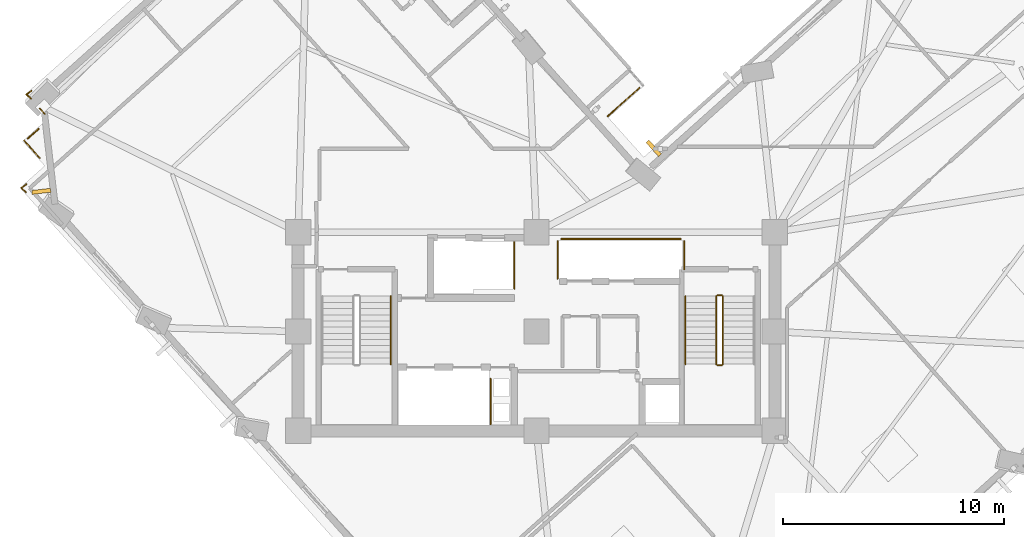
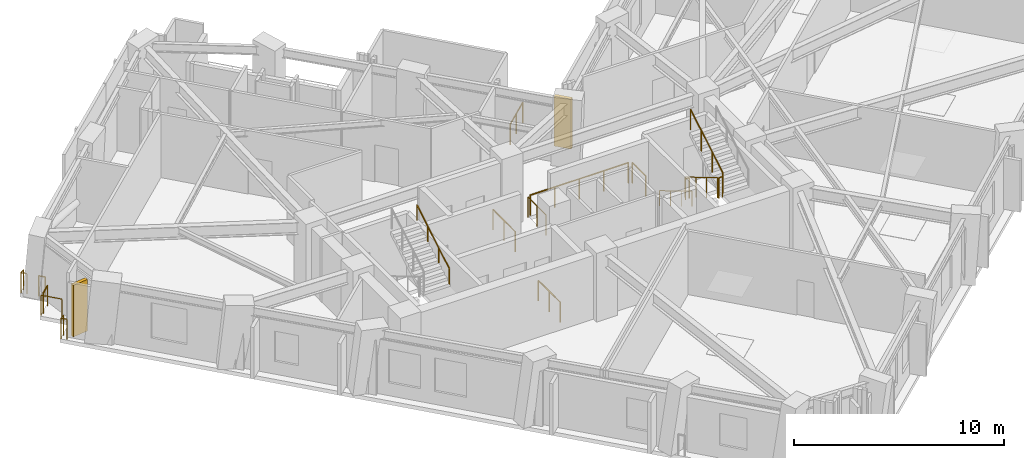
# One storey, part 11 of 14: 17 railings, 2 shading devices.
"""IFC4 building model written with IfcOpenShell, lengths in metres."""

from ifc_helpers import new_model, si_unit, direction, frame, origin, origin_2d, place, context, subcontext, project, spatial, rectangle, circle, extrude, material, layer, layer_set, type_object, element, save


model = new_model("IFC4")

# Units and contexts
model_context = context("Model", 3, precision=1e-05, world=origin(), true_north=direction((0.0, 1.0)))
body_context = subcontext(model_context, "Body", "Model", "MODEL_VIEW")
ifc_project = project(units=[si_unit("LENGTHUNIT", "METRE"), si_unit("AREAUNIT", "SQUARE_METRE"), si_unit("VOLUMEUNIT", "CUBIC_METRE"), si_unit("PLANEANGLEUNIT", "RADIAN"), si_unit("MASSUNIT", "GRAM", prefix="KILO")], contexts=[model_context])

# Site, building, storey
site_placement = place(None, origin())
site = spatial("IfcSite", under=ifc_project, at=site_placement, CompositionType="ELEMENT")
building_placement = place(site_placement, origin())
building = spatial("IfcBuilding", under=site, at=building_placement, Name="Gaonmaruhae Medical Tower", CompositionType="ELEMENT")
storey_placement = place(building_placement, frame((0.0, 0.0, 201.800048828125)))
storey = spatial("IfcBuildingStorey", under=building, at=storey_placement, Name="L48", CompositionType="ELEMENT", Elevation=201.800048828125)

# Railings
ifc_material_1 = material(Name="Stainless steel 316L and laminated safety glass", Category="steel")
ifc_layer = layer(ifc_material_1, 0.080078125)
ifc_layer_set = layer_set([ifc_layer], Name="Stainless steel 316L and laminated safety glass")
railing_type_1 = type_object("IfcRailingType", Name="GD-120 Outdoor Terrace Safety Glass & Steel Balustrade", PredefinedType="BALUSTRADE", material=ifc_layer_set)
railing_1_placement = place(storey_placement, frame((2.285888671875, 20.169921875, 0.0)))
element("IfcRailing", 1, at=railing_1_placement, inside=storey, type_object=railing_type_1, Name="L48 Perimeter Slab Edge Safety Balustrade 06", PredefinedType="BALUSTRADE", context=body_context, shape_type="SweptSolid", body=[
    extrude(circle(Radius=0.02392578125, at=origin_2d()), frame((0.0, 0.0, 1.17578125), z_axis=(-0.666491764932, 0.745512392437, 0.0), x_axis=(-0.745512392437, -0.666491764932, 0.0)), (0.0, 0.0, 1.0), 1.059814453125),
    extrude(circle(Radius=0.02099609375, at=origin_2d()), origin(), (0.0, 0.0, 1.0), 1.15185546875),
    extrude(circle(Radius=0.02099609375, at=origin_2d()), frame((-0.706298828125, 0.7900390625, 0.0)), (0.0, 0.0, 1.0), 1.15185546875),
])
railing_2_placement = place(storey_placement, frame((1.74951171875, 21.044921875, 0.0)))
element("IfcRailing", 2, at=railing_2_placement, inside=storey, type_object=railing_type_1, Name="L48 Perimeter Slab Edge Safety Balustrade 07", PredefinedType="BALUSTRADE", context=body_context, shape_type="SweptSolid", body=[
    extrude(circle(Radius=0.02392578125, at=origin_2d()), frame((0.0, 0.0, 1.17578125), z_axis=(0.74540576672, 0.666611013216, 0.0), x_axis=(-0.666611013216, 0.74540576672, 0.0)), (0.0, 0.0, 1.0), 0.659912109375),
    extrude(circle(Radius=0.02099609375, at=origin_2d()), origin(), (0.0, 0.0, 1.0), 1.15185546875),
    extrude(circle(Radius=0.02099609375, at=origin_2d()), frame((0.491943359375, 0.43994140625, 0.0)), (0.0, 0.0, 1.0), 1.15185546875),
])
railing_3_placement = place(storey_placement, frame((2.515380859375, 22.16357421875, 0.0)))
element("IfcRailing", 3, at=railing_3_placement, inside=storey, type_object=railing_type_1, Name="L48 Perimeter Slab Edge Safety Balustrade 08", PredefinedType="BALUSTRADE", context=body_context, shape_type="SweptSolid", body=[
    extrude(circle(Radius=0.02392578125, at=origin_2d()), frame((0.0, 0.0, 1.17578125), z_axis=(-0.666357524895, 0.745632381953, 0.0), x_axis=(-0.745632381953, -0.666357524895, 0.0)), (0.0, 0.0, 1.0), 0.326416015625),
    extrude(circle(Radius=0.02099609375, at=origin_2d()), origin(), (0.0, 0.0, 1.0), 1.15185546875),
    extrude(circle(Radius=0.02099609375, at=origin_2d()), frame((-0.217529296875, 0.243408203125, 0.0)), (0.0, 0.0, 1.0), 1.15185546875),
])
railing_4_placement = place(storey_placement, frame((29.46142578125, 23.33984375, 0.0)))
element("IfcRailing", 4, at=railing_4_placement, inside=storey, type_object=railing_type_1, Name="L48 Perimeter Slab Edge Safety Balustrade 10", PredefinedType="BALUSTRADE", context=body_context, shape_type="SweptSolid", body=[
    extrude(circle(Radius=0.02392578125, at=origin_2d()), frame((0.0, 0.0, 1.17578125), z_axis=(-0.745457275339, -0.666553411697, 0.0), x_axis=(0.666553411697, -0.745457275339, 0.0)), (0.0, 0.0, 1.0), 1.92138671875),
    extrude(circle(Radius=0.02099609375, at=origin_2d()), origin(), (0.0, 0.0, 1.0), 1.15185546875),
    extrude(circle(Radius=0.02099609375, at=origin_2d()), frame((-0.71630859375, -0.640380859375, 0.0)), (0.0, 0.0, 1.0), 1.15185546875),
    extrude(circle(Radius=0.02099609375, at=origin_2d()), frame((-1.432373046875, -1.28076171875, 0.0)), (0.0, 0.0, 1.0), 1.15185546875),
])
railing_5_placement = place(storey_placement, frame((1.6611328125, 18.618408203125, 0.0)))
element("IfcRailing", 5, at=railing_5_placement, inside=storey, type_object=railing_type_1, Name="L48 Perimeter Corner Safety Balustrade 12", PredefinedType="BALUSTRADE", context=body_context, shape_type="SweptSolid", body=[
    extrude(circle(Radius=0.02392578125, at=origin_2d()), frame((0.0, 0.0, 1.17578125), z_axis=(-0.752734739418, 0.658323941592, 0.0), x_axis=(-0.658323941592, -0.752734739418, 0.0)), (0.0, 0.0, 1.0), 0.287109375),
    extrude(circle(Radius=0.02392578125, at=origin_2d()), frame((-0.216064453125, 0.18896484375, 1.17578125), z_axis=(0.821303571973, 0.570491404549, 0.0), x_axis=(-0.570491404549, 0.821303571973, 0.0)), (0.0, 0.0, 1.0), 0.287109375),
    extrude(circle(Radius=0.02099609375, at=origin_2d()), origin(), (0.0, 0.0, 1.0), 1.15185546875),
    extrude(circle(Radius=0.02099609375, at=origin_2d()), frame((-0.216064453125, 0.18896484375, 0.0)), (0.0, 0.0, 1.0), 1.15185546875),
    extrude(circle(Radius=0.02099609375, at=origin_2d()), frame((0.019775390625, 0.352783203125, 0.0)), (0.0, 0.0, 1.0), 1.15185546875),
])
railing_6_placement = place(storey_placement, frame((1.89794921875, 22.854248046875, 0.0)))
element("IfcRailing", 6, at=railing_6_placement, inside=storey, type_object=railing_type_1, Name="L48 Perimeter Corner Safety Balustrade 13", PredefinedType="BALUSTRADE", context=body_context, shape_type="SweptSolid", body=[
    extrude(circle(Radius=0.02392578125, at=origin_2d()), frame((0.0, 0.0, 1.17578125), z_axis=(-0.752313338045, 0.65880546552, 0.0), x_axis=(-0.65880546552, -0.752313338045, 0.0)), (0.0, 0.0, 1.0), 0.287109375),
    extrude(circle(Radius=0.02392578125, at=origin_2d()), frame((-0.216064453125, 0.189208984375, 1.17578125), z_axis=(0.821303571973, 0.570491404549, 0.0), x_axis=(-0.570491404549, 0.821303571973, 0.0)), (0.0, 0.0, 1.0), 0.287109375),
    extrude(circle(Radius=0.02099609375, at=origin_2d()), origin(), (0.0, 0.0, 1.0), 1.15185546875),
    extrude(circle(Radius=0.02099609375, at=origin_2d()), frame((-0.216064453125, 0.189208984375, 0.0)), (0.0, 0.0, 1.0), 1.15185546875),
    extrude(circle(Radius=0.02099609375, at=origin_2d()), frame((0.019775390625, 0.35302734375, 0.0)), (0.0, 0.0, 1.0), 1.15185546875),
])
ifc_material_2 = material(Name="Stainless steel 304 handrail", Category="steel")
railing_type_2 = type_object("IfcRailingType", Name="HR-092 Continuous Stainless Steel Stair Handrail", PredefinedType="HANDRAIL", material=ifc_material_2)
railing_7_placement = place(storey_placement, frame((18.199951171875, 10.820068359375, 2.16650390625)))
element("IfcRailing", 7, at=railing_7_placement, inside=storey, type_object=railing_type_2, Name="L48 ST-01 stair handrail 2", PredefinedType="HANDRAIL", context=body_context, shape_type="SweptSolid", body=[
    extrude(circle(Radius=0.02392578125, at=origin_2d()), frame((0.0, 0.0, 0.8759765625), z_axis=(0.0, 0.859260807169, 0.511537745687), x_axis=(-1.0, 0.0, 0.0)), (0.0, 0.0, 1.0), 3.584228515625),
    extrude(circle(Radius=0.02099609375, at=origin_2d()), origin(), (0.0, 0.0, 1.0), 0.851806640625),
    extrude(circle(Radius=0.02099609375, at=origin_2d()), frame((0.0, 1.026611328125, 0.611083984375)), (0.0, 0.0, 1.0), 0.851806640625),
    extrude(circle(Radius=0.02099609375, at=origin_2d()), frame((0.0, 2.05322265625, 1.222412109375)), (0.0, 0.0, 1.0), 0.851806640625),
    extrude(circle(Radius=0.02099609375, at=origin_2d()), frame((0.0, 3.079833984375, 1.83349609375)), (0.0, 0.0, 1.0), 0.851806640625),
])
railing_8_placement = place(storey_placement, frame((31.550048828125, 13.89990234375, 0.16650390625)))
element("IfcRailing", 8, at=railing_8_placement, inside=storey, type_object=railing_type_2, Name="L48 ST-02 stair handrail 1", PredefinedType="HANDRAIL", context=body_context, shape_type="SweptSolid", body=[
    extrude(circle(Radius=0.02392578125, at=origin_2d()), frame((0.0, 0.0, 0.8759765625), z_axis=(0.0, -0.859260807169, 0.511537745687), x_axis=(1.0, 0.0, 0.0)), (0.0, 0.0, 1.0), 3.584228515625),
    extrude(circle(Radius=0.02099609375, at=origin_2d()), origin(), (0.0, 0.0, 1.0), 0.851806640625),
    extrude(circle(Radius=0.02099609375, at=origin_2d()), frame((0.0, -1.026611328125, 0.611083984375)), (0.0, 0.0, 1.0), 0.851806640625),
    extrude(circle(Radius=0.02099609375, at=origin_2d()), frame((0.0, -2.05322265625, 1.222412109375)), (0.0, 0.0, 1.0), 0.851806640625),
    extrude(circle(Radius=0.02099609375, at=origin_2d()), frame((0.0, -3.079833984375, 1.83349609375)), (0.0, 0.0, 1.0), 0.851806640625),
])

# Shading devices
ifc_material_3 = material(Name="Pigmented coral precast concrete C45/55", Category="concrete")
shading_device_type = type_object("IfcShadingDeviceType", Name="SD-FIN1 Tower Vertical Coral Precast Shading Fin", PredefinedType="USERDEFINED", material=ifc_material_3)
shading_device_1_placement = place(storey_placement, frame((30.114501953125, 20.60400390625, 0.0400390625), z_axis=(0.0, 0.0, 1.0), x_axis=(0.745487632755, 0.666519459137, 0.0)))
element("IfcShadingDevice", 9, at=shading_device_1_placement, inside=storey, type_object=shading_device_type, Name="L48 Vertical Coral Precast Shading Fin EN03", ObjectType="FIN", PredefinedType="USERDEFINED", context=body_context, shape_type="SweptSolid", body=[
    extrude(rectangle(XDim=0.179931640625, YDim=0.85009765625, at=origin_2d()), origin(), (0.0, 0.0, 1.0), 2.905029296875),
])
shading_device_2_placement = place(storey_placement, frame((2.3623046875, 18.653564453125, 0.092529296875), z_axis=(0.0, 0.0, 1.0), x_axis=(-0.114625067568, 0.99340882515, 0.0)))
element("IfcShadingDevice", 10, at=shading_device_2_placement, inside=storey, type_object=shading_device_type, Name="L48 Vertical Coral Precast Shading Fin N03", ObjectType="FIN", PredefinedType="USERDEFINED", context=body_context, shape_type="SweptSolid", body=[
    extrude(rectangle(XDim=0.179931640625, YDim=0.85009765625, at=origin_2d()), origin(), (0.0, 0.0, 1.0), 3.0),
])

# Railings
ifc_material_4 = material(Name="Stainless steel 304 balustrade", Category="steel")
railing_type_3 = type_object("IfcRailingType", Name="SG-112 Stair Well & Ramp Void Safety Balustrade", PredefinedType="BALUSTRADE", material=ifc_material_4)
railing_9_placement = place(storey_placement, frame((32.949951171875, 13.89990234375, 0.16650390625)))
element("IfcRailing", 11, at=railing_9_placement, inside=storey, type_object=railing_type_3, Name="L48 ST-02 stair guard 1", PredefinedType="BALUSTRADE", context=body_context, shape_type="SweptSolid", body=[
    extrude(circle(Radius=0.02392578125, at=origin_2d()), frame((0.0, 0.0, 1.17578125), z_axis=(0.0, -0.859260807169, 0.511537745687), x_axis=(1.0, 0.0, 0.0)), (0.0, 0.0, 1.0), 3.584228515625),
    extrude(circle(Radius=0.02099609375, at=origin_2d()), origin(), (0.0, 0.0, 1.0), 1.15185546875),
    extrude(circle(Radius=0.02099609375, at=origin_2d()), frame((0.0, -1.026611328125, 0.611083984375)), (0.0, 0.0, 1.0), 1.15185546875),
    extrude(circle(Radius=0.02099609375, at=origin_2d()), frame((0.0, -2.05322265625, 1.222412109375)), (0.0, 0.0, 1.0), 1.15185546875),
    extrude(circle(Radius=0.02099609375, at=origin_2d()), frame((0.0, -3.079833984375, 1.83349609375)), (0.0, 0.0, 1.0), 1.15185546875),
])
railing_10_placement = place(storey_placement, frame((33.0, 10.77001953125, 2.0)))
element("IfcRailing", 12, at=railing_10_placement, inside=storey, type_object=railing_type_3, Name="L48 ST-02 stair guard 2", PredefinedType="BALUSTRADE", context=body_context, shape_type="SweptSolid", body=[
    extrude(circle(Radius=0.02392578125, at=origin_2d()), frame((0.0, 0.0, 1.17578125), z_axis=(1.0, 0.0, 0.0), x_axis=(0.0, 1.0, 0.0)), (0.0, 0.0, 1.0), 0.199951171875),
    extrude(circle(Radius=0.02099609375, at=origin_2d()), origin(), (0.0, 0.0, 1.0), 1.15185546875),
    extrude(circle(Radius=0.02099609375, at=origin_2d()), frame((0.199951171875, 0.0, 0.0)), (0.0, 0.0, 1.0), 1.15185546875),
])
railing_11_placement = place(storey_placement, frame((33.25, 10.820068359375, 2.16650390625)))
element("IfcRailing", 13, at=railing_11_placement, inside=storey, type_object=railing_type_3, Name="L48 ST-02 stair guard 3", PredefinedType="BALUSTRADE", context=body_context, shape_type="SweptSolid", body=[
    extrude(circle(Radius=0.02392578125, at=origin_2d()), frame((0.0, 0.0, 1.17578125), z_axis=(0.0, 0.859260807169, 0.511537745687), x_axis=(-1.0, 0.0, 0.0)), (0.0, 0.0, 1.0), 3.584228515625),
    extrude(circle(Radius=0.02099609375, at=origin_2d()), origin(), (0.0, 0.0, 1.0), 1.15185546875),
    extrude(circle(Radius=0.02099609375, at=origin_2d()), frame((0.0, 1.026611328125, 0.611083984375)), (0.0, 0.0, 1.0), 1.15185546875),
    extrude(circle(Radius=0.02099609375, at=origin_2d()), frame((0.0, 2.05322265625, 1.222412109375)), (0.0, 0.0, 1.0), 1.15185546875),
    extrude(circle(Radius=0.02099609375, at=origin_2d()), frame((0.0, 3.079833984375, 1.83349609375)), (0.0, 0.0, 1.0), 1.15185546875),
])
railing_12_placement = place(storey_placement, frame((33.0, 13.949951171875, 0.0)))
element("IfcRailing", 14, at=railing_12_placement, inside=storey, type_object=railing_type_3, Name="L48 ST-02 stair guard 4", PredefinedType="BALUSTRADE", context=body_context, shape_type="SweptSolid", body=[
    extrude(circle(Radius=0.02392578125, at=origin_2d()), frame((0.0, 0.0, 1.17578125), z_axis=(1.0, 0.0, 0.0), x_axis=(0.0, 1.0, 0.0)), (0.0, 0.0, 1.0), 0.199951171875),
    extrude(circle(Radius=0.02099609375, at=origin_2d()), origin(), (0.0, 0.0, 1.0), 1.15185546875),
    extrude(circle(Radius=0.02099609375, at=origin_2d()), frame((0.199951171875, 0.0, 0.0)), (0.0, 0.0, 1.0), 1.15185546875),
])
railing_13_placement = place(storey_placement, frame((22.719970703125, 10.159912109375, 0.0)))
element("IfcRailing", 15, at=railing_13_placement, inside=storey, type_object=railing_type_3, Name="L48 Shaft Edge Safety Guard 14", PredefinedType="BALUSTRADE", context=body_context, shape_type="SweptSolid", body=[
    extrude(circle(Radius=0.02392578125, at=origin_2d()), frame((0.0, 0.0, 1.17578125), z_axis=(0.0, -1.0, 0.0), x_axis=(1.0, 0.0, 0.0)), (0.0, 0.0, 1.0), 2.06494140625),
    extrude(circle(Radius=0.02099609375, at=origin_2d()), origin(), (0.0, 0.0, 1.0), 1.15185546875),
    extrude(circle(Radius=0.02099609375, at=origin_2d()), frame((0.0, -1.032470703125, 0.0)), (0.0, 0.0, 1.0), 1.15185546875),
    extrude(circle(Radius=0.02099609375, at=origin_2d()), frame((0.0, -2.06494140625, 0.0)), (0.0, 0.0, 1.0), 1.15185546875),
])
railing_14_placement = place(storey_placement, frame((23.794921875, 16.35498046875, 0.0)))
element("IfcRailing", 16, at=railing_14_placement, inside=storey, type_object=railing_type_3, Name="L48 Shaft Edge Safety Guard 15", PredefinedType="BALUSTRADE", context=body_context, shape_type="SweptSolid", body=[
    extrude(circle(Radius=0.02392578125, at=origin_2d()), frame((0.0, 0.0, 1.17578125), z_axis=(0.0, -1.0, 0.0), x_axis=(1.0, 0.0, 0.0)), (0.0, 0.0, 1.0), 2.10986328125),
    extrude(circle(Radius=0.02099609375, at=origin_2d()), origin(), (0.0, 0.0, 1.0), 1.15185546875),
    extrude(circle(Radius=0.02099609375, at=origin_2d()), frame((0.0, -1.054931640625, 0.0)), (0.0, 0.0, 1.0), 1.15185546875),
    extrude(circle(Radius=0.02099609375, at=origin_2d()), frame((0.0, -2.10986328125, 0.0)), (0.0, 0.0, 1.0), 1.15185546875),
])
railing_15_placement = place(storey_placement, frame((31.4951171875, 16.405029296875, 0.0)))
element("IfcRailing", 17, at=railing_15_placement, inside=storey, type_object=railing_type_3, Name="L48 Shaft Edge Safety Guard 16", PredefinedType="BALUSTRADE", context=body_context, shape_type="SweptSolid", body=[
    extrude(circle(Radius=0.02392578125, at=origin_2d()), frame((0.0, 0.0, 1.17578125), z_axis=(0.0, -1.0, 0.0), x_axis=(1.0, 0.0, 0.0)), (0.0, 0.0, 1.0), 1.284912109375),
    extrude(circle(Radius=0.02099609375, at=origin_2d()), origin(), (0.0, 0.0, 1.0), 1.15185546875),
    extrude(circle(Radius=0.02099609375, at=origin_2d()), frame((0.0, -1.284912109375, 0.0)), (0.0, 0.0, 1.0), 1.15185546875),
])
railing_16_placement = place(storey_placement, frame((25.7548828125, 14.695068359375, 0.0)))
element("IfcRailing", 18, at=railing_16_placement, inside=storey, type_object=railing_type_3, Name="L48 Shaft Edge Safety Guard 17", PredefinedType="BALUSTRADE", context=body_context, shape_type="SweptSolid", body=[
    extrude(circle(Radius=0.02392578125, at=origin_2d()), frame((0.0, 0.0, 1.17578125), z_axis=(0.0, 1.0, 0.0), x_axis=(-1.0, 0.0, 0.0)), (0.0, 0.0, 1.0), 1.7099609375),
    extrude(circle(Radius=0.02099609375, at=origin_2d()), origin(), (0.0, 0.0, 1.0), 1.15185546875),
    extrude(circle(Radius=0.02099609375, at=origin_2d()), frame((0.0, 0.85498046875, 0.0)), (0.0, 0.0, 1.0), 1.15185546875),
    extrude(circle(Radius=0.02099609375, at=origin_2d()), frame((0.0, 1.7099609375, 0.0)), (0.0, 0.0, 1.0), 1.15185546875),
])
railing_17_placement = place(storey_placement, frame((25.919921875, 16.4951171875, 0.0)))
element("IfcRailing", 19, at=railing_17_placement, inside=storey, type_object=railing_type_3, Name="L48 Shaft Edge Safety Guard 18", PredefinedType="BALUSTRADE", context=body_context, shape_type="SweptSolid", body=[
    extrude(circle(Radius=0.02392578125, at=origin_2d()), frame((0.0, 0.0, 1.17578125), z_axis=(1.0, 0.0, 0.0), x_axis=(0.0, 1.0, 0.0)), (0.0, 0.0, 1.0), 5.41015625),
    extrude(circle(Radius=0.02099609375, at=origin_2d()), origin(), (0.0, 0.0, 1.0), 1.15185546875),
    extrude(circle(Radius=0.02099609375, at=origin_2d()), frame((1.3525390625, 0.0, 0.0)), (0.0, 0.0, 1.0), 1.15185546875),
    extrude(circle(Radius=0.02099609375, at=origin_2d()), frame((2.705078125, 0.0, 0.0)), (0.0, 0.0, 1.0), 1.15185546875),
    extrude(circle(Radius=0.02099609375, at=origin_2d()), frame((4.0576171875, 0.0, 0.0)), (0.0, 0.0, 1.0), 1.15185546875),
    extrude(circle(Radius=0.02099609375, at=origin_2d()), frame((5.41015625, 0.0, 0.0)), (0.0, 0.0, 1.0), 1.15185546875),
])

save(model, "model.ifc")
